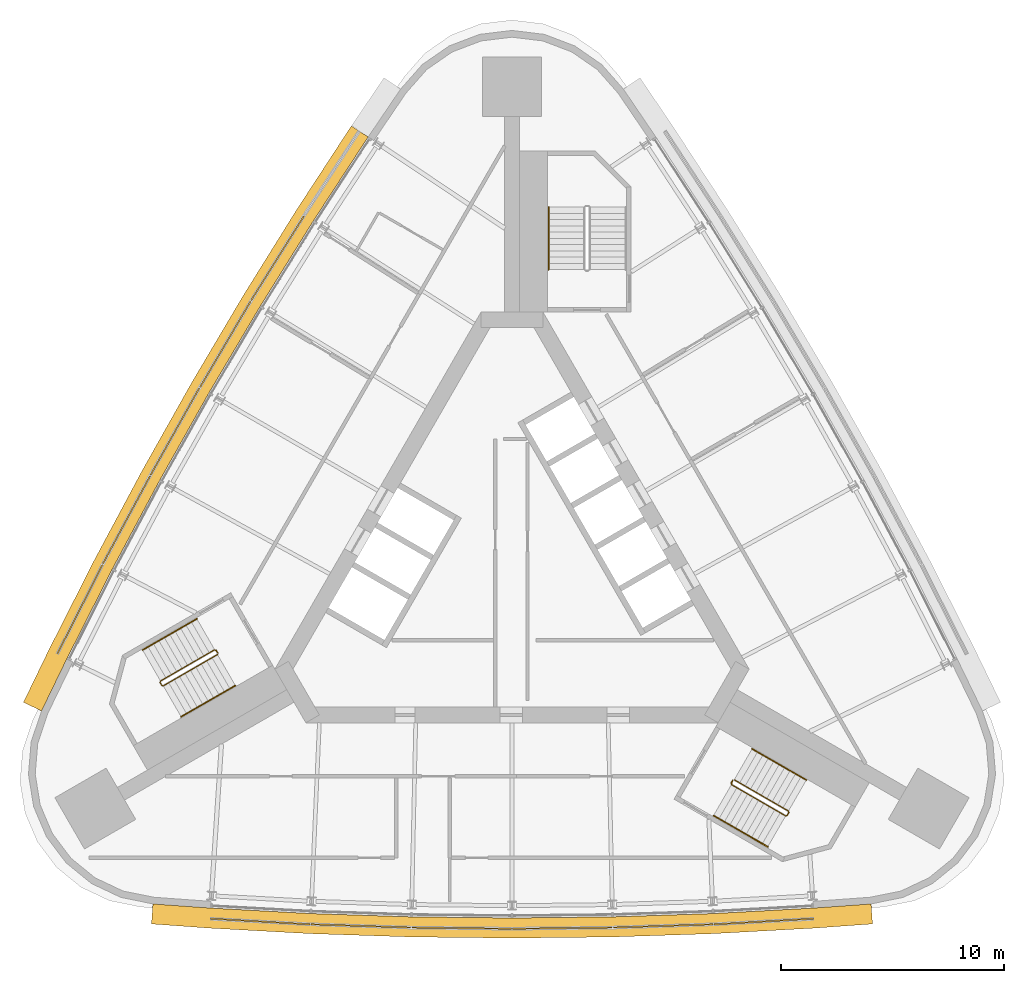
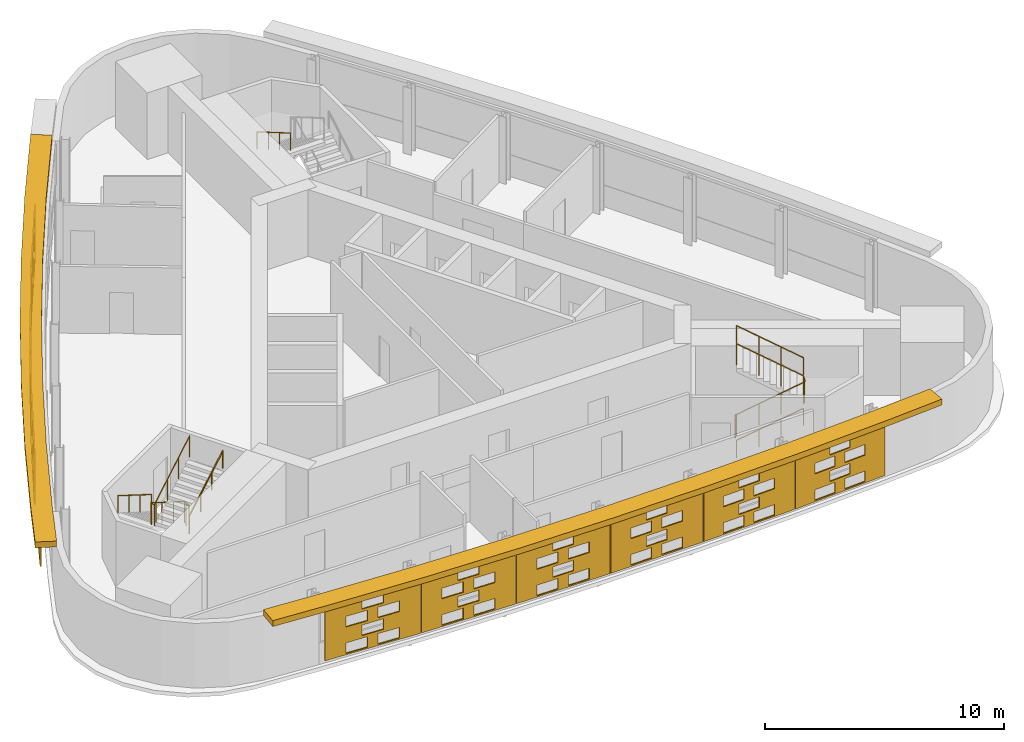
# One storey, part 10 of 11: 13 shading devices, 7 railings.
"""IFC4 building model written with IfcOpenShell, lengths in metres."""

from ifc_helpers import new_model, si_unit, direction, frame, origin, origin_2d, place, context, subcontext, project, spatial, polyline, circle, outline, extrude, material, material_profile, profile_set, type_object, element, save


model = new_model("IFC4")

# Units and contexts
model_context = context("Model", 3, precision=1e-05, world=origin(), true_north=direction((0.0, 1.0)))
body_context = subcontext(model_context, "Body", "Model", "MODEL_VIEW")
ifc_project = project(units=[si_unit("LENGTHUNIT", "METRE"), si_unit("AREAUNIT", "SQUARE_METRE"), si_unit("VOLUMEUNIT", "CUBIC_METRE"), si_unit("PLANEANGLEUNIT", "RADIAN"), si_unit("MASSUNIT", "GRAM", prefix="KILO")], contexts=[model_context])

# Site, building, storey
site_placement = place(None, origin())
site = spatial("IfcSite", under=ifc_project, at=site_placement, CompositionType="ELEMENT")
building_placement = place(site_placement, origin())
building = spatial("IfcBuilding", under=site, at=building_placement, Name="Noor Cloister Tower", CompositionType="ELEMENT")
storey_placement = place(building_placement, frame((0.0, 0.0, 203.10009765625)))
storey = spatial("IfcBuildingStorey", under=building, at=storey_placement, Name="L52", CompositionType="ELEMENT", Elevation=203.10009765625)

# Shading devices
ifc_material_1 = material(Name="Limestone", Category="masonry")
ifc_material_profile = material_profile(ifc_material_1, outline(polyline([(-2.22998046875, -1.35009765625), (2.22998046875, -1.35009765625), (2.22998046875, 1.35009765625), (-2.22998046875, 1.35009765625), (-2.22998046875, -1.35009765625)]), holes=[polyline([(-1.25, -1.282470703125), (-0.25, -1.282470703125), (-0.25, -0.742431640625), (-1.25, -0.742431640625), (-1.25, -1.282470703125)]), polyline([(0.25, -1.282470703125), (1.25, -1.282470703125), (1.25, -0.742431640625), (0.25, -0.742431640625), (0.25, -1.282470703125)]), polyline([(-0.5, -0.607421875), (0.5, -0.607421875), (0.5, -0.0673828125), (-0.5, -0.0673828125), (-0.5, -0.607421875)]), polyline([(-1.25, 0.0673828125), (-0.25, 0.0673828125), (-0.25, 0.607421875), (-1.25, 0.607421875), (-1.25, 0.0673828125)]), polyline([(0.25, 0.0673828125), (1.25, 0.0673828125), (1.25, 0.607421875), (0.25, 0.607421875), (0.25, 0.0673828125)]), polyline([(-0.5, 0.742431640625), (0.5, 0.742431640625), (0.5, 1.282470703125), (-0.5, 1.282470703125), (-0.5, 0.742431640625)])]), Name="Woven screen 32 percent open")
ifc_profile_set = profile_set([ifc_material_profile], Name="Limestone")
shading_device_type_1 = type_object("IfcShadingDeviceType", Name="SCREEN woven limestone 32 percent open", PredefinedType="USERDEFINED", material=ifc_profile_set)
shading_device_1_placement = place(storey_placement, frame((-10.46923828125, 13.853759765625, 1.849853515625), z_axis=(-0.847998304005, 0.529998940003, 0.0), x_axis=(-0.529998940003, -0.847998304005, 0.0)))
element("IfcShadingDevice", 1, at=shading_device_1_placement, inside=storey, type_object=shading_device_type_1, Name="SCREEN L52 2", ObjectType="SCREEN", PredefinedType="USERDEFINED", context=body_context, shape_type="SweptSolid", body=[
    extrude(outline(polyline([(-2.22998046875, -1.35009765625), (2.22998046875, -1.35009765625), (2.22998046875, 1.35009765625), (-2.22998046875, 1.35009765625), (-2.22998046875, -1.35009765625)]), holes=[polyline([(-1.25, -1.282470703125), (-0.25, -1.282470703125), (-0.25, -0.742431640625), (-1.25, -0.742431640625), (-1.25, -1.282470703125)]), polyline([(0.25, -1.282470703125), (1.25, -1.282470703125), (1.25, -0.742431640625), (0.25, -0.742431640625), (0.25, -1.282470703125)]), polyline([(-0.5, -0.607421875), (0.5, -0.607421875), (0.5, -0.0673828125), (-0.5, -0.0673828125), (-0.5, -0.607421875)]), polyline([(-1.25, 0.0673828125), (-0.25, 0.0673828125), (-0.25, 0.607421875), (-1.25, 0.607421875), (-1.25, 0.0673828125)]), polyline([(0.25, 0.0673828125), (1.25, 0.0673828125), (1.25, 0.607421875), (0.25, 0.607421875), (0.25, 0.0673828125)]), polyline([(-0.5, 0.742431640625), (0.5, 0.742431640625), (0.5, 1.282470703125), (-0.5, 1.282470703125), (-0.5, 0.742431640625)])]), origin(), (0.0, 0.0, 1.0), 0.059814453125),
])
shading_device_2_placement = place(storey_placement, frame((-12.808837890625, 9.998779296875, 1.849853515625), z_axis=(-0.86141148773, 0.507907716822, 0.0), x_axis=(-0.507907716822, -0.86141148773, 0.0)))
element("IfcShadingDevice", 2, at=shading_device_2_placement, inside=storey, type_object=shading_device_type_1, Name="SCREEN L52 3", ObjectType="SCREEN", PredefinedType="USERDEFINED", context=body_context, shape_type="SweptSolid", body=[
    extrude(outline(polyline([(-2.22998046875, -1.35009765625), (2.22998046875, -1.35009765625), (2.22998046875, 1.35009765625), (-2.22998046875, 1.35009765625), (-2.22998046875, -1.35009765625)]), holes=[polyline([(-1.25, -1.282470703125), (-0.25, -1.282470703125), (-0.25, -0.742431640625), (-1.25, -0.742431640625), (-1.25, -1.282470703125)]), polyline([(0.25, -1.282470703125), (1.25, -1.282470703125), (1.25, -0.742431640625), (0.25, -0.742431640625), (0.25, -1.282470703125)]), polyline([(-0.5, -0.607421875), (0.5, -0.607421875), (0.5, -0.0673828125), (-0.5, -0.0673828125), (-0.5, -0.607421875)]), polyline([(-1.25, 0.0673828125), (-0.25, 0.0673828125), (-0.25, 0.607421875), (-1.25, 0.607421875), (-1.25, 0.0673828125)]), polyline([(0.25, 0.0673828125), (1.25, 0.0673828125), (1.25, 0.607421875), (0.25, 0.607421875), (0.25, 0.0673828125)]), polyline([(-0.5, 0.742431640625), (0.5, 0.742431640625), (0.5, 1.282470703125), (-0.5, 1.282470703125), (-0.5, 0.742431640625)])]), origin(), (0.0, 0.0, 1.0), 0.06005859375),
])
for number, where, z_axis, x_axis, name in (
    (3, (-15.063720703125, 6.093505859375, 1.849853515625), (-0.872227864306, 0.489099736994, 0.0), (-0.489099736994, -0.872227864306, 0.0), "SCREEN L52 4"),
    (4, (-17.232421875, 2.1396484375, 1.849853515625), (-0.880994429299, 0.473126637957, 0.0), (-0.473126637957, -0.880994429299, 0.0), "SCREEN L52 5"),
):
    element("IfcShadingDevice", number, at=place(storey_placement, frame(where, z_axis=z_axis, x_axis=x_axis)), inside=storey, type_object=shading_device_type_1, Name=name, ObjectType="SCREEN", PredefinedType="USERDEFINED", context=body_context, shape_type="SweptSolid", body=[
        extrude(outline(polyline([(-2.22998046875, -1.35009765625), (2.22998046875, -1.35009765625), (2.22998046875, 1.35009765625), (-2.22998046875, 1.35009765625), (-2.22998046875, -1.35009765625)]), holes=[polyline([(-1.25, -1.282470703125), (-0.25, -1.282470703125), (-0.25, -0.742431640625), (-1.25, -0.742431640625), (-1.25, -1.282470703125)]), polyline([(0.25, -1.282470703125), (1.25, -1.282470703125), (1.25, -0.742431640625), (0.25, -0.742431640625), (0.25, -1.282470703125)]), polyline([(-0.5, -0.607421875), (0.5, -0.607421875), (0.5, -0.0673828125), (-0.5, -0.0673828125), (-0.5, -0.607421875)]), polyline([(-1.25, 0.0673828125), (-0.25, 0.0673828125), (-0.25, 0.607421875), (-1.25, 0.607421875), (-1.25, 0.0673828125)]), polyline([(0.25, 0.0673828125), (1.25, 0.0673828125), (1.25, 0.607421875), (0.25, 0.607421875), (0.25, 0.0673828125)]), polyline([(-0.5, 0.742431640625), (0.5, 0.742431640625), (0.5, 1.282470703125), (-0.5, 1.282470703125), (-0.5, 0.742431640625)])]), origin(), (0.0, 0.0, 1.0), 0.059814453125),
    ])
shading_device_3_placement = place(storey_placement, frame((-19.31396484375, -1.860595703125, 1.849853515625), z_axis=(-0.891970083601, 0.452094425935, 0.0), x_axis=(-0.452094425935, -0.891970083601, 0.0)))
element("IfcShadingDevice", 5, at=shading_device_3_placement, inside=storey, type_object=shading_device_type_1, Name="SCREEN L52 6", ObjectType="SCREEN", PredefinedType="USERDEFINED", context=body_context, shape_type="SweptSolid", body=[
    extrude(outline(polyline([(-2.22998046875, -1.35009765625), (2.22998046875, -1.35009765625), (2.22998046875, 1.35009765625), (-2.22998046875, 1.35009765625), (-2.22998046875, -1.35009765625)]), holes=[polyline([(-1.25, -1.282470703125), (-0.25, -1.282470703125), (-0.25, -0.742431640625), (-1.25, -0.742431640625), (-1.25, -1.282470703125)]), polyline([(0.25, -1.282470703125), (1.25, -1.282470703125), (1.25, -0.742431640625), (0.25, -0.742431640625), (0.25, -1.282470703125)]), polyline([(-0.5, -0.607421875), (0.5, -0.607421875), (0.5, -0.0673828125), (-0.5, -0.0673828125), (-0.5, -0.607421875)]), polyline([(-1.25, 0.0673828125), (-0.25, 0.0673828125), (-0.25, 0.607421875), (-1.25, 0.607421875), (-1.25, 0.0673828125)]), polyline([(0.25, 0.0673828125), (1.25, 0.0673828125), (1.25, 0.607421875), (0.25, 0.607421875), (0.25, 0.0673828125)]), polyline([(-0.5, 0.742431640625), (0.5, 0.742431640625), (0.5, 1.282470703125), (-0.5, 1.282470703125), (-0.5, 0.742431640625)])]), origin(), (0.0, 0.0, 1.0), 0.06005859375),
])
shading_device_4_placement = place(storey_placement, frame((-11.268310546875, -15.796142578125, 1.849853515625), z_axis=(-0.057049790539, -0.998371334424, 0.0), x_axis=(0.998371334424, -0.057049790539, 0.0)))
element("IfcShadingDevice", 6, at=shading_device_4_placement, inside=storey, type_object=shading_device_type_1, Name="SCREEN L52 1", ObjectType="SCREEN", PredefinedType="USERDEFINED", context=body_context, shape_type="SweptSolid", body=[
    extrude(outline(polyline([(-2.22998046875, -1.35009765625), (2.22998046875, -1.35009765625), (2.22998046875, 1.35009765625), (-2.22998046875, 1.35009765625), (-2.22998046875, -1.35009765625)]), holes=[polyline([(-1.25, -1.282470703125), (-0.25, -1.282470703125), (-0.25, -0.742431640625), (-1.25, -0.742431640625), (-1.25, -1.282470703125)]), polyline([(0.25, -1.282470703125), (1.25, -1.282470703125), (1.25, -0.742431640625), (0.25, -0.742431640625), (0.25, -1.282470703125)]), polyline([(-0.5, -0.607421875), (0.5, -0.607421875), (0.5, -0.0673828125), (-0.5, -0.0673828125), (-0.5, -0.607421875)]), polyline([(-1.25, 0.0673828125), (-0.25, 0.0673828125), (-0.25, 0.607421875), (-1.25, 0.607421875), (-1.25, 0.0673828125)]), polyline([(0.25, 0.0673828125), (1.25, 0.0673828125), (1.25, 0.607421875), (0.25, 0.607421875), (0.25, 0.0673828125)]), polyline([(-0.5, 0.742431640625), (0.5, 0.742431640625), (0.5, 1.282470703125), (-0.5, 1.282470703125), (-0.5, 0.742431640625)])]), origin(), (0.0, 0.0, 1.0), 0.059814453125),
])
shading_device_5_placement = place(storey_placement, frame((-6.76318359375, -15.993408203125, 1.849853515625), z_axis=(-0.032503142546, -0.999471633277, 0.0), x_axis=(0.999471633277, -0.032503142546, 0.0)))
element("IfcShadingDevice", 7, at=shading_device_5_placement, inside=storey, type_object=shading_device_type_1, Name="SCREEN L52 2", ObjectType="SCREEN", PredefinedType="USERDEFINED", context=body_context, shape_type="SweptSolid", body=[
    extrude(outline(polyline([(-2.22998046875, -1.35009765625), (2.22998046875, -1.35009765625), (2.22998046875, 1.35009765625), (-2.22998046875, 1.35009765625), (-2.22998046875, -1.35009765625)]), holes=[polyline([(-1.25, -1.282470703125), (-0.25, -1.282470703125), (-0.25, -0.742431640625), (-1.25, -0.742431640625), (-1.25, -1.282470703125)]), polyline([(0.25, -1.282470703125), (1.25, -1.282470703125), (1.25, -0.742431640625), (0.25, -0.742431640625), (0.25, -1.282470703125)]), polyline([(-0.5, -0.607421875), (0.5, -0.607421875), (0.5, -0.0673828125), (-0.5, -0.0673828125), (-0.5, -0.607421875)]), polyline([(-1.25, 0.0673828125), (-0.25, 0.0673828125), (-0.25, 0.607421875), (-1.25, 0.607421875), (-1.25, 0.0673828125)]), polyline([(0.25, 0.0673828125), (1.25, 0.0673828125), (1.25, 0.607421875), (0.25, 0.607421875), (0.25, 0.0673828125)]), polyline([(-0.5, 0.742431640625), (0.5, 0.742431640625), (0.5, 1.282470703125), (-0.5, 1.282470703125), (-0.5, 0.742431640625)])]), origin(), (0.0, 0.0, 1.0), 0.06005859375),
])
for number, where, z_axis, x_axis, name in (
    (8, (-2.254638671875, -16.09228515625, 1.849853515625), (-0.012243980078, -0.999925039666, 0.0), (0.999925039666, -0.012243980078, 0.0), "SCREEN L52 3"),
    (9, (2.254638671875, -16.09228515625, 1.849853515625), (0.012243980078, -0.999925039666, 0.0), (0.999925039666, 0.012243980078, 0.0), "SCREEN L52 4"),
):
    element("IfcShadingDevice", number, at=place(storey_placement, frame(where, z_axis=z_axis, x_axis=x_axis)), inside=storey, type_object=shading_device_type_1, Name=name, ObjectType="SCREEN", PredefinedType="USERDEFINED", context=body_context, shape_type="SweptSolid", body=[
        extrude(outline(polyline([(-2.22998046875, -1.35009765625), (2.22998046875, -1.35009765625), (2.22998046875, 1.35009765625), (-2.22998046875, 1.35009765625), (-2.22998046875, -1.35009765625)]), holes=[polyline([(-1.25, -1.282470703125), (-0.25, -1.282470703125), (-0.25, -0.742431640625), (-1.25, -0.742431640625), (-1.25, -1.282470703125)]), polyline([(0.25, -1.282470703125), (1.25, -1.282470703125), (1.25, -0.742431640625), (0.25, -0.742431640625), (0.25, -1.282470703125)]), polyline([(-0.5, -0.607421875), (0.5, -0.607421875), (0.5, -0.0673828125), (-0.5, -0.0673828125), (-0.5, -0.607421875)]), polyline([(-1.25, 0.0673828125), (-0.25, 0.0673828125), (-0.25, 0.607421875), (-1.25, 0.607421875), (-1.25, 0.0673828125)]), polyline([(0.25, 0.0673828125), (1.25, 0.0673828125), (1.25, 0.607421875), (0.25, 0.607421875), (0.25, 0.0673828125)]), polyline([(-0.5, 0.742431640625), (0.5, 0.742431640625), (0.5, 1.282470703125), (-0.5, 1.282470703125), (-0.5, 0.742431640625)])]), origin(), (0.0, 0.0, 1.0), 0.059814453125),
    ])
shading_device_6_placement = place(storey_placement, frame((6.76318359375, -15.993408203125, 1.849853515625), z_axis=(0.032503142546, -0.999471633277, 0.0), x_axis=(0.999471633277, 0.032503142546, 0.0)))
element("IfcShadingDevice", 10, at=shading_device_6_placement, inside=storey, type_object=shading_device_type_1, Name="SCREEN L52 5", ObjectType="SCREEN", PredefinedType="USERDEFINED", context=body_context, shape_type="SweptSolid", body=[
    extrude(outline(polyline([(-2.22998046875, -1.35009765625), (2.22998046875, -1.35009765625), (2.22998046875, 1.35009765625), (-2.22998046875, 1.35009765625), (-2.22998046875, -1.35009765625)]), holes=[polyline([(-1.25, -1.282470703125), (-0.25, -1.282470703125), (-0.25, -0.742431640625), (-1.25, -0.742431640625), (-1.25, -1.282470703125)]), polyline([(0.25, -1.282470703125), (1.25, -1.282470703125), (1.25, -0.742431640625), (0.25, -0.742431640625), (0.25, -1.282470703125)]), polyline([(-0.5, -0.607421875), (0.5, -0.607421875), (0.5, -0.0673828125), (-0.5, -0.0673828125), (-0.5, -0.607421875)]), polyline([(-1.25, 0.0673828125), (-0.25, 0.0673828125), (-0.25, 0.607421875), (-1.25, 0.607421875), (-1.25, 0.0673828125)]), polyline([(0.25, 0.0673828125), (1.25, 0.0673828125), (1.25, 0.607421875), (0.25, 0.607421875), (0.25, 0.0673828125)]), polyline([(-0.5, 0.742431640625), (0.5, 0.742431640625), (0.5, 1.282470703125), (-0.5, 1.282470703125), (-0.5, 0.742431640625)])]), origin(), (0.0, 0.0, 1.0), 0.06005859375),
])
shading_device_7_placement = place(storey_placement, frame((11.268310546875, -15.796142578125, 1.849853515625), z_axis=(0.057049790539, -0.998371334424, 0.0), x_axis=(0.998371334424, 0.057049790539, 0.0)))
element("IfcShadingDevice", 11, at=shading_device_7_placement, inside=storey, type_object=shading_device_type_1, Name="SCREEN L52 6", ObjectType="SCREEN", PredefinedType="USERDEFINED", context=body_context, shape_type="SweptSolid", body=[
    extrude(outline(polyline([(-2.22998046875, -1.35009765625), (2.22998046875, -1.35009765625), (2.22998046875, 1.35009765625), (-2.22998046875, 1.35009765625), (-2.22998046875, -1.35009765625)]), holes=[polyline([(-1.25, -1.282470703125), (-0.25, -1.282470703125), (-0.25, -0.742431640625), (-1.25, -0.742431640625), (-1.25, -1.282470703125)]), polyline([(0.25, -1.282470703125), (1.25, -1.282470703125), (1.25, -0.742431640625), (0.25, -0.742431640625), (0.25, -1.282470703125)]), polyline([(-0.5, -0.607421875), (0.5, -0.607421875), (0.5, -0.0673828125), (-0.5, -0.0673828125), (-0.5, -0.607421875)]), polyline([(-1.25, 0.0673828125), (-0.25, 0.0673828125), (-0.25, 0.607421875), (-1.25, 0.607421875), (-1.25, 0.0673828125)]), polyline([(0.25, 0.0673828125), (1.25, 0.0673828125), (1.25, 0.607421875), (0.25, 0.607421875), (0.25, 0.0673828125)]), polyline([(-0.5, 0.742431640625), (0.5, 0.742431640625), (0.5, 1.282470703125), (-0.5, 1.282470703125), (-0.5, 0.742431640625)])]), origin(), (0.0, 0.0, 1.0), 0.059814453125),
])
ifc_material_2 = material(Name="Limestone", Category="masonry")
shading_device_type_2 = type_object("IfcShadingDeviceType", Name="SUNSHADE limestone band 900", PredefinedType="USERDEFINED", material=ifc_material_2)
shading_device_8_placement = place(storey_placement, frame((0.0, 0.0, 3.2998046875)))
element("IfcShadingDevice", 12, at=shading_device_8_placement, inside=storey, type_object=shading_device_type_2, Name="SUNSHADE L52 1", ObjectType="SUNSHADE", PredefinedType="USERDEFINED", context=body_context, shape_type="SweptSolid", body=[
    extrude(outline(polyline([(-7.192626953125, 19.786865234375), (-9.65771484375, 16.010498046875), (-12.044921875, 12.172607421875), (-14.347412109375, 8.283447265625), (-16.564208984375, 4.344970703125), (-18.6943359375, 0.358642578125), (-20.735595703125, -3.67138671875), (-21.8701171875, -6.010009765625), (-21.060302734375, -6.40283203125), (-19.92919921875, -4.071044921875), (-17.895751953125, -0.056884765625), (-15.775146484375, 3.912109375), (-13.56787109375, 7.83349609375), (-11.275390625, 11.70556640625), (-8.898681640625, 15.526611328125), (-6.43896484375, 19.294677734375), (-7.192626953125, 19.786865234375)])), origin(), (0.0, 0.0, 1.0), 0.300048828125),
])
shading_device_9_placement = place(storey_placement, frame((0.0, 0.0, 3.2998046875)))
element("IfcShadingDevice", 13, at=shading_device_9_placement, inside=storey, type_object=shading_device_type_2, Name="SUNSHADE L52 2", ObjectType="SUNSHADE", PredefinedType="USERDEFINED", context=body_context, shape_type="SweptSolid", body=[
    extrude(outline(polyline([(-16.1396484375, -15.93505859375), (-13.54736328125, -16.121826171875), (-9.03662109375, -16.369140625), (-4.519287109375, -16.517333984375), (0.0, -16.56689453125), (4.519287109375, -16.517333984375), (9.03662109375, -16.369140625), (13.54736328125, -16.121826171875), (16.1396484375, -15.93505859375), (16.074951171875, -15.037353515625), (13.490234375, -15.2236328125), (8.9970703125, -15.469970703125), (4.499755859375, -15.61767578125), (0.0, -15.666748046875), (-4.499755859375, -15.61767578125), (-8.9970703125, -15.469970703125), (-13.490234375, -15.2236328125), (-16.074951171875, -15.037353515625), (-16.1396484375, -15.93505859375)])), origin(), (0.0, 0.0, 1.0), 0.300048828125),
])

# Railings
ifc_material_3 = material(Name="Stainless steel", Category="steel")
railing_type_1 = type_object("IfcRailingType", Name="Stair guard 1100", PredefinedType="GUARDRAIL", material=ifc_material_3)
railing_1_placement = place(storey_placement, frame((-13.241455078125, -3.677734375, 0.0)))
element("IfcRailing", 14, at=railing_1_placement, inside=storey, type_object=railing_type_1, Name="Stair guard ST2 L52", PredefinedType="GUARDRAIL", context=body_context, shape_type="SweptSolid", body=[
    extrude(circle(Radius=0.02392578125, at=origin_2d()), frame((0.0, 0.0, 1.076171875), z_axis=(0.499112439033, -0.866537231285, 0.0), x_axis=(0.866537231285, 0.499112439033, 0.0)), (0.0, 0.0, 1.0), 0.150146484375),
    extrude(circle(Radius=0.02392578125, at=origin_2d()), frame((0.074951171875, -0.130126953125, 1.076171875), z_axis=(-0.544565797804, 0.563119998752, 0.621565731736), x_axis=(-0.718850276695, -0.695164929852, 0.0)), (0.0, 0.0, 1.0), 0.26318359375),
    extrude(circle(Radius=0.02392578125, at=origin_2d()), frame((-0.068359375, 0.01806640625, 1.23974609375), z_axis=(-0.74771821388, -0.431677027627, 0.504551698492), x_axis=(0.49998411664, -0.866034573852, 0.0)), (0.0, 0.0, 1.0), 3.242919921875),
    extrude(circle(Radius=0.02392578125, at=origin_2d()), frame((-2.4931640625, -1.3818359375, 2.8759765625), z_axis=(-0.258736085224, -0.965948051503, 0.0), x_axis=(0.965948051503, -0.258736085224, 0.0)), (0.0, 0.0, 1.0), 0.07080078125),
    extrude(circle(Radius=0.02392578125, at=origin_2d()), frame((-2.511474609375, -1.4501953125, 2.8759765625), z_axis=(0.499816412211, -0.866131372301, 0.0), x_axis=(0.866131372301, 0.499816412211, 0.0)), (0.0, 0.0, 1.0), 0.14990234375),
    extrude(circle(Radius=0.02392578125, at=origin_2d()), frame((-2.4365234375, -1.580078125, 2.8759765625), z_axis=(0.383070988865, -0.102608300589, 0.918002262601), x_axis=(0.258736085224, 0.965948051503, 0.0)), (0.0, 0.0, 1.0), 0.178466796875),
    extrude(circle(Radius=0.02392578125, at=origin_2d()), frame((-2.3681640625, -1.598388671875, 3.03955078125), z_axis=(0.747693913401, 0.431738279637, 0.504535300807), x_axis=(-0.500049511043, 0.865996816683, 0.0)), (0.0, 0.0, 1.0), 3.2431640625),
    extrude(circle(Radius=0.02099609375, at=origin_2d()), origin(), (0.0, 0.0, 1.0), 1.052001953125),
    extrude(circle(Radius=0.02099609375, at=origin_2d()), frame((0.074951171875, -0.130126953125, 0.0)), (0.0, 0.0, 1.0), 1.052001953125),
    extrude(circle(Radius=0.02099609375, at=origin_2d()), frame((-0.068359375, 0.01806640625, 0.16357421875)), (0.0, 0.0, 1.0), 1.052001953125),
    extrude(circle(Radius=0.02099609375, at=origin_2d()), frame((-0.876708984375, -0.448486328125, 0.708984375)), (0.0, 0.0, 1.0), 1.052001953125),
    extrude(circle(Radius=0.02099609375, at=origin_2d()), frame((-1.684814453125, -0.915283203125, 1.25439453125)), (0.0, 0.0, 1.0), 1.052001953125),
    extrude(circle(Radius=0.02099609375, at=origin_2d()), frame((-2.4931640625, -1.3818359375, 1.7998046875)), (0.0, 0.0, 1.0), 1.052001953125),
    extrude(circle(Radius=0.02099609375, at=origin_2d()), frame((-2.511474609375, -1.4501953125, 1.7998046875)), (0.0, 0.0, 1.0), 1.052001953125),
    extrude(circle(Radius=0.02099609375, at=origin_2d()), frame((-2.4365234375, -1.580078125, 1.7998046875)), (0.0, 0.0, 1.0), 1.052001953125),
    extrude(circle(Radius=0.02099609375, at=origin_2d()), frame((-2.3681640625, -1.598388671875, 1.963623046875)), (0.0, 0.0, 1.0), 1.052001953125),
    extrude(circle(Radius=0.02099609375, at=origin_2d()), frame((-1.559814453125, -1.131591796875, 2.509033203125)), (0.0, 0.0, 1.0), 1.052001953125),
    extrude(circle(Radius=0.02099609375, at=origin_2d()), frame((-0.751708984375, -0.6650390625, 3.054443359375)), (0.0, 0.0, 1.0), 1.052001953125),
    extrude(circle(Radius=0.02099609375, at=origin_2d()), frame((0.056640625, -0.1982421875, 3.599853515625)), (0.0, 0.0, 1.0), 1.052001953125),
])
railing_2_placement = place(storey_placement, frame((9.805908203125, -9.628662109375, 0.0)))
element("IfcRailing", 15, at=railing_2_placement, inside=storey, type_object=railing_type_1, Name="Stair guard ST3 L52", PredefinedType="GUARDRAIL", context=body_context, shape_type="SweptSolid", body=[
    extrude(circle(Radius=0.02392578125, at=origin_2d()), frame((0.0, 0.0, 1.076171875), z_axis=(0.499112439033, 0.866537231285, 0.0), x_axis=(-0.866537231285, 0.499112439033, 0.0)), (0.0, 0.0, 1.0), 0.150146484375),
    extrude(circle(Radius=0.02392578125, at=origin_2d()), frame((0.074951171875, 0.130126953125, 1.076171875), z_axis=(-0.215214839654, -0.753251938789, 0.621525614518), x_axis=(0.961523947641, -0.274721127897, 0.0)), (0.0, 0.0, 1.0), 0.26318359375),
    extrude(circle(Radius=0.02392578125, at=origin_2d()), frame((0.018310546875, -0.068115234375, 1.23974609375), z_axis=(0.747693913401, -0.431738279637, 0.504535300807), x_axis=(0.500049511043, 0.865996816683, 0.0)), (0.0, 0.0, 1.0), 3.2431640625),
    extrude(circle(Radius=0.02392578125, at=origin_2d()), frame((2.443115234375, -1.46826171875, 2.8759765625), z_axis=(0.965948051503, 0.258736085224, 0.0), x_axis=(-0.258736085224, 0.965948051503, 0.0)), (0.0, 0.0, 1.0), 0.07080078125),
    extrude(circle(Radius=0.02392578125, at=origin_2d()), frame((2.511474609375, -1.449951171875, 2.8759765625), z_axis=(0.499816412211, 0.866131372301, 0.0), x_axis=(-0.866131372301, 0.499816412211, 0.0)), (0.0, 0.0, 1.0), 0.14990234375),
    extrude(circle(Radius=0.02392578125, at=origin_2d()), frame((2.58642578125, -1.320068359375, 2.8759765625), z_axis=(-0.102608300589, 0.383070988865, 0.918002262601), x_axis=(-0.965948051503, -0.258736085224, 0.0)), (0.0, 0.0, 1.0), 0.178466796875),
    extrude(circle(Radius=0.02392578125, at=origin_2d()), frame((2.568115234375, -1.251708984375, 3.03955078125), z_axis=(-0.74771821388, 0.431677027627, 0.504551698492), x_axis=(-0.49998411664, -0.866034573852, 0.0)), (0.0, 0.0, 1.0), 3.242919921875),
    extrude(circle(Radius=0.02099609375, at=origin_2d()), origin(), (0.0, 0.0, 1.0), 1.052001953125),
    extrude(circle(Radius=0.02099609375, at=origin_2d()), frame((0.074951171875, 0.130126953125, 0.0)), (0.0, 0.0, 1.0), 1.052001953125),
    extrude(circle(Radius=0.02099609375, at=origin_2d()), frame((0.018310546875, -0.068115234375, 0.16357421875)), (0.0, 0.0, 1.0), 1.052001953125),
    extrude(circle(Radius=0.02099609375, at=origin_2d()), frame((0.82666015625, -0.534912109375, 0.708984375)), (0.0, 0.0, 1.0), 1.052001953125),
    extrude(circle(Radius=0.02099609375, at=origin_2d()), frame((1.634765625, -1.00146484375, 1.25439453125)), (0.0, 0.0, 1.0), 1.052001953125),
    extrude(circle(Radius=0.02099609375, at=origin_2d()), frame((2.443115234375, -1.46826171875, 1.7998046875)), (0.0, 0.0, 1.0), 1.052001953125),
    extrude(circle(Radius=0.02099609375, at=origin_2d()), frame((2.511474609375, -1.449951171875, 1.7998046875)), (0.0, 0.0, 1.0), 1.052001953125),
    extrude(circle(Radius=0.02099609375, at=origin_2d()), frame((2.58642578125, -1.320068359375, 1.7998046875)), (0.0, 0.0, 1.0), 1.052001953125),
    extrude(circle(Radius=0.02099609375, at=origin_2d()), frame((2.568115234375, -1.251708984375, 1.963623046875)), (0.0, 0.0, 1.0), 1.052001953125),
    extrude(circle(Radius=0.02099609375, at=origin_2d()), frame((1.759765625, -0.78515625, 2.509033203125)), (0.0, 0.0, 1.0), 1.052001953125),
    extrude(circle(Radius=0.02099609375, at=origin_2d()), frame((0.95166015625, -0.318359375, 3.054443359375)), (0.0, 0.0, 1.0), 1.052001953125),
    extrude(circle(Radius=0.02099609375, at=origin_2d()), frame((0.143310546875, 0.148193359375, 3.599853515625)), (0.0, 0.0, 1.0), 1.052001953125),
])
ifc_material_4 = material(Name="Stainless steel", Category="steel")
railing_type_2 = type_object("IfcRailingType", Name="Stair handrail 900", PredefinedType="HANDRAIL", material=ifc_material_4)
railing_3_placement = place(storey_placement, frame((1.6357421875, 16.156494140625, 1.963623046875)))
element("IfcRailing", 16, at=railing_3_placement, inside=storey, type_object=railing_type_2, Name="Stair handrail ST1 L52 2", PredefinedType="HANDRAIL", context=body_context, shape_type="SweptSolid", body=[
    extrude(circle(Radius=0.02392578125, at=origin_2d()), frame((0.0, 0.0, 0.8759765625), z_axis=(0.0, -0.863393664356, 0.504530851732), x_axis=(1.0, 0.0, 0.0)), (0.0, 0.0, 1.0), 3.2431640625),
    extrude(circle(Radius=0.02099609375, at=origin_2d()), origin(), (0.0, 0.0, 1.0), 0.851806640625),
    extrude(circle(Radius=0.02099609375, at=origin_2d()), frame((0.0, -0.933349609375, 0.54541015625)), (0.0, 0.0, 1.0), 0.851806640625),
    extrude(circle(Radius=0.02099609375, at=origin_2d()), frame((0.0, -1.86669921875, 1.0908203125)), (0.0, 0.0, 1.0), 0.851806640625),
    extrude(circle(Radius=0.02099609375, at=origin_2d()), frame((0.0, -2.800048828125, 1.63623046875)), (0.0, 0.0, 1.0), 0.851806640625),
])
railing_4_placement = place(storey_placement, frame((-14.10986328125, -2.27392578125, 0.16357421875)))
element("IfcRailing", 17, at=railing_4_placement, inside=storey, type_object=railing_type_2, Name="Stair handrail ST2 L52 1", PredefinedType="HANDRAIL", context=body_context, shape_type="SweptSolid", body=[
    extrude(circle(Radius=0.02392578125, at=origin_2d()), frame((0.0, 0.0, 0.8759765625), z_axis=(-0.74771821388, -0.431677027627, 0.504551698492), x_axis=(0.49998411664, -0.866034573852, 0.0)), (0.0, 0.0, 1.0), 3.242919921875),
    extrude(circle(Radius=0.02099609375, at=origin_2d()), origin(), (0.0, 0.0, 1.0), 0.851806640625),
    extrude(circle(Radius=0.02099609375, at=origin_2d()), frame((-0.808349609375, -0.466552734375, 0.54541015625)), (0.0, 0.0, 1.0), 0.851806640625),
    extrude(circle(Radius=0.02099609375, at=origin_2d()), frame((-1.616455078125, -0.933349609375, 1.0908203125)), (0.0, 0.0, 1.0), 0.851806640625),
    extrude(circle(Radius=0.02099609375, at=origin_2d()), frame((-2.4248046875, -1.39990234375, 1.63623046875)), (0.0, 0.0, 1.0), 0.851806640625),
])
railing_5_placement = place(storey_placement, frame((-14.8095703125, -6.66162109375, 1.963623046875)))
element("IfcRailing", 18, at=railing_5_placement, inside=storey, type_object=railing_type_2, Name="Stair handrail ST2 L52 2", PredefinedType="HANDRAIL", context=body_context, shape_type="SweptSolid", body=[
    extrude(circle(Radius=0.02392578125, at=origin_2d()), frame((0.0, 0.0, 0.8759765625), z_axis=(0.74771821388, 0.431677027627, 0.504551698492), x_axis=(-0.49998411664, 0.866034573852, 0.0)), (0.0, 0.0, 1.0), 3.242919921875),
    extrude(circle(Radius=0.02099609375, at=origin_2d()), origin(), (0.0, 0.0, 1.0), 0.851806640625),
    extrude(circle(Radius=0.02099609375, at=origin_2d()), frame((0.808349609375, 0.466552734375, 0.54541015625)), (0.0, 0.0, 1.0), 0.851806640625),
    extrude(circle(Radius=0.02099609375, at=origin_2d()), frame((1.616455078125, 0.933349609375, 1.0908203125)), (0.0, 0.0, 1.0), 0.851806640625),
    extrude(circle(Radius=0.02099609375, at=origin_2d()), frame((2.4248046875, 1.39990234375, 1.63623046875)), (0.0, 0.0, 1.0), 0.851806640625),
])
railing_6_placement = place(storey_placement, frame((9.024169921875, -11.08251953125, 0.16357421875)))
element("IfcRailing", 19, at=railing_6_placement, inside=storey, type_object=railing_type_2, Name="Stair handrail ST3 L52 1", PredefinedType="HANDRAIL", context=body_context, shape_type="SweptSolid", body=[
    extrude(circle(Radius=0.02392578125, at=origin_2d()), frame((0.0, 0.0, 0.8759765625), z_axis=(0.74771821388, -0.431677027627, 0.504551698492), x_axis=(0.49998411664, 0.866034573852, 0.0)), (0.0, 0.0, 1.0), 3.242919921875),
    extrude(circle(Radius=0.02099609375, at=origin_2d()), origin(), (0.0, 0.0, 1.0), 0.851806640625),
    extrude(circle(Radius=0.02099609375, at=origin_2d()), frame((0.808349609375, -0.466552734375, 0.54541015625)), (0.0, 0.0, 1.0), 0.851806640625),
    extrude(circle(Radius=0.02099609375, at=origin_2d()), frame((1.616455078125, -0.933349609375, 1.0908203125)), (0.0, 0.0, 1.0), 0.851806640625),
    extrude(circle(Radius=0.02099609375, at=origin_2d()), frame((2.4248046875, -1.39990234375, 1.63623046875)), (0.0, 0.0, 1.0), 0.851806640625),
])
railing_7_placement = place(storey_placement, frame((13.174072265625, -9.49462890625, 1.963623046875)))
element("IfcRailing", 20, at=railing_7_placement, inside=storey, type_object=railing_type_2, Name="Stair handrail ST3 L52 2", PredefinedType="HANDRAIL", context=body_context, shape_type="SweptSolid", body=[
    extrude(circle(Radius=0.02392578125, at=origin_2d()), frame((0.0, 0.0, 0.8759765625), z_axis=(-0.74771821388, 0.431677027627, 0.504551698492), x_axis=(-0.49998411664, -0.866034573852, 0.0)), (0.0, 0.0, 1.0), 3.242919921875),
    extrude(circle(Radius=0.02099609375, at=origin_2d()), origin(), (0.0, 0.0, 1.0), 0.851806640625),
    extrude(circle(Radius=0.02099609375, at=origin_2d()), frame((-0.808349609375, 0.466552734375, 0.54541015625)), (0.0, 0.0, 1.0), 0.851806640625),
    extrude(circle(Radius=0.02099609375, at=origin_2d()), frame((-1.616455078125, 0.933349609375, 1.0908203125)), (0.0, 0.0, 1.0), 0.851806640625),
    extrude(circle(Radius=0.02099609375, at=origin_2d()), frame((-2.4248046875, 1.39990234375, 1.63623046875)), (0.0, 0.0, 1.0), 0.851806640625),
])

save(model, "model.ifc")
